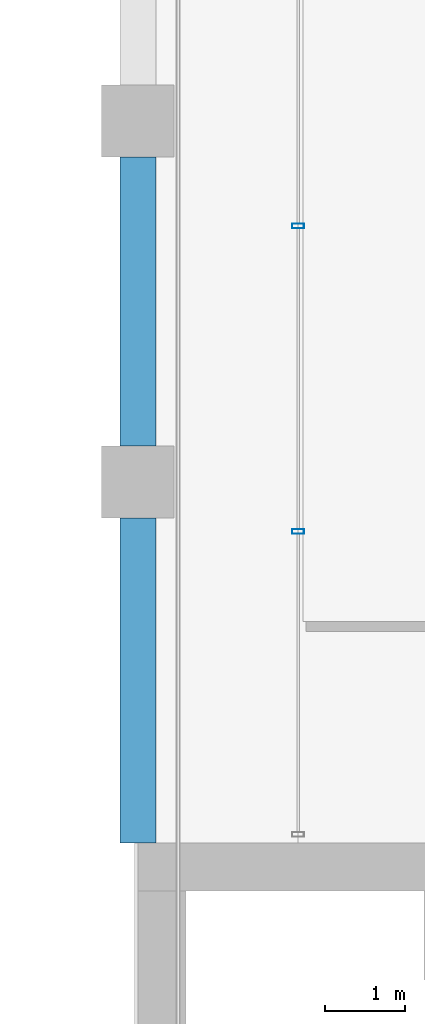
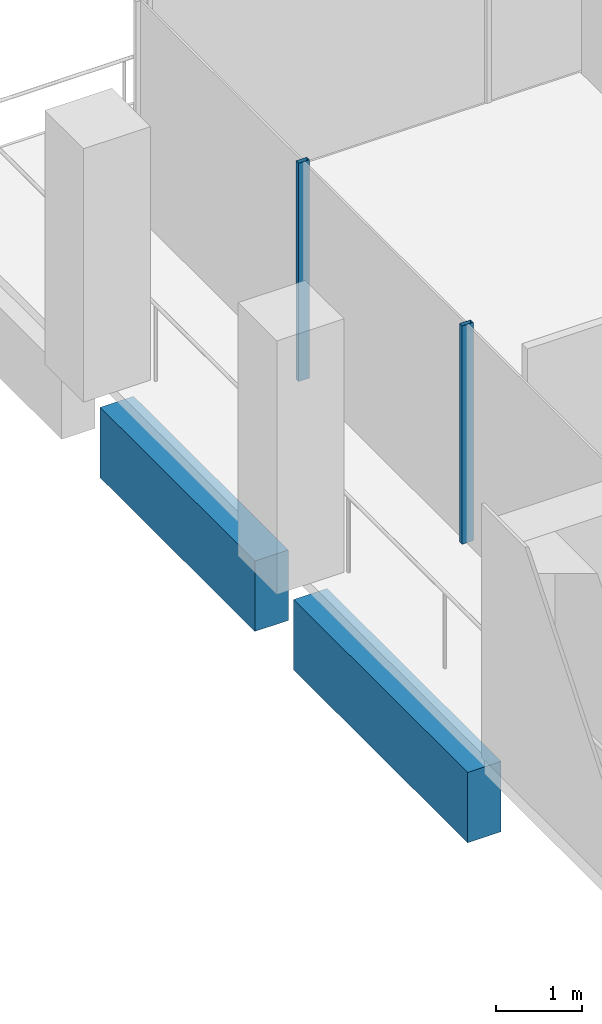
# One storey, part 20 of 40: 2 beams, 2 members, 1 element without a shape of its own.
"""IFC4 building model written with IfcOpenShell, lengths in metres."""

import ifcopenshell
import ifcopenshell.guid

model = None  # the IFC model being written
_history = None  # IfcOwnerHistory: only IFC2X3 demands one
_inside = {}  # id of a spatial element -> (the spatial element, [elements in it])
_under = {}  # id of a project, library or spatial element -> (it, [spatial elements below it])
_declared = {}  # id of a project -> (the project, [libraries it declares])
_typed = {}  # id of a type object -> (the type object, [elements of that type])
_made_of = {}  # id of a material, layer set ... -> (it, [elements and type objects made of it])


def new_model(schema):
    """Start an empty IFC model of exactly this schema.

    Asked for "IFC4X3", IfcOpenShell would pick the latest addendum, in which some entities
    have other attributes; the version numbers below select the first issue.
    IFC2X3 requires an IfcOwnerHistory on every rooted entity: one is made here for all.
    """
    global model, _history
    if schema == "IFC4X3":
        model = ifcopenshell.file(schema_version=(4, 3, 0, 0))
    else:
        model = ifcopenshell.file(schema=schema)
    _inside.clear()
    _under.clear()
    _declared.clear()
    _typed.clear()
    _made_of.clear()
    _history = None
    if model.schema == "IFC2X3":
        org = make("IfcOrganization", Name="unknown")
        user = make(
            "IfcPersonAndOrganization",
            ThePerson=make("IfcPerson", FamilyName="unknown"),
            TheOrganization=org,
        )
        app = make(
            "IfcApplication",
            ApplicationDeveloper=org,
            Version="unknown",
            ApplicationFullName="unknown",
            ApplicationIdentifier="unknown",
        )
        _history = make(
            "IfcOwnerHistory",
            OwningUser=user,
            OwningApplication=app,
            ChangeAction="ADDED",
            CreationDate=0,
        )
    return model


def make(cls, **values):
    """One entity of the class cls with the attributes given. An attribute that is None is left unset."""
    return model.create_entity(
        cls, **{name: value for name, value in values.items() if value is not None}
    )


def rooted(cls, **values):
    """An entity with a GlobalId (a new one), such as an element, a storey or a relation."""
    return make(cls, GlobalId=ifcopenshell.guid.new(), OwnerHistory=_history, **values)


def si_unit(unit_type, name, prefix=None):
    """IfcSIUnit, for example si_unit("LENGTHUNIT", "METRE", prefix="MILLI")."""
    return make("IfcSIUnit", UnitType=unit_type, Prefix=prefix, Name=name)


def assignment(units):
    """IfcUnitAssignment: the units of a project."""
    return None if units is None else make("IfcUnitAssignment", Units=units)


def point(xyz):
    """IfcCartesianPoint."""
    return None if xyz is None else make("IfcCartesianPoint", Coordinates=xyz)


def direction(xyz):
    """IfcDirection."""
    return None if xyz is None else make("IfcDirection", DirectionRatios=xyz)


def frame(location, z_axis=None, x_axis=None):
    """IfcAxis2Placement3D, a coordinate frame: its origin and axes. An axis left out is left unset."""
    return make(
        "IfcAxis2Placement3D",
        Location=point(location),
        Axis=direction(z_axis),
        RefDirection=direction(x_axis),
    )


def frame_2d(location, x_axis=None):
    """IfcAxis2Placement2D, a coordinate frame in the plane: its origin and x axis."""
    return make(
        "IfcAxis2Placement2D", Location=point(location), RefDirection=direction(x_axis)
    )


def origin():
    """The frame at (0, 0, 0) with its axes left unset."""
    return frame((0.0, 0.0, 0.0))


def origin_2d():
    """The frame at (0, 0) in the plane with its x axis left unset."""
    return frame_2d((0.0, 0.0))


def place(relative_to, where):
    """IfcLocalPlacement: puts the frame where relative to a parent placement (None: the world)."""
    return make(
        "IfcLocalPlacement", PlacementRelTo=relative_to, RelativePlacement=where
    )


def context(
    kind, dimensions, precision=None, world=None, true_north=None, identifier=None
):
    """IfcGeometricRepresentationContext, for example the 3D "Model" context."""
    return make(
        "IfcGeometricRepresentationContext",
        ContextIdentifier=identifier,
        ContextType=kind,
        CoordinateSpaceDimension=dimensions,
        Precision=precision,
        WorldCoordinateSystem=world,
        TrueNorth=true_north,
    )


def subcontext(parent, identifier, kind, view, scale=None):
    """IfcGeometricRepresentationSubContext, for example "Body" below "Model"."""
    return make(
        "IfcGeometricRepresentationSubContext",
        ContextIdentifier=identifier,
        ContextType=kind,
        ParentContext=parent,
        TargetScale=scale,
        TargetView=view,
    )


def project(units=None, contexts=None):
    """IfcProject with its units and contexts."""
    return rooted(
        "IfcProject",
        Name="project",
        RepresentationContexts=contexts,
        UnitsInContext=assignment(units),
    )


def spatial(cls, under=None, at=None, **own):
    """A site, building, storey or space (cls), placed at a placement, below another one or the project."""
    s = rooted(cls, ObjectPlacement=at, **own)
    if under is not None:
        _under.setdefault(under.id(), (under, []))[1].append(s)
    return s


def profile(cls, at=None, kind="AREA", **sizes):
    """A parametric profile (cls). Its sizes go by their IFC names, for example OverallWidth=200.0."""
    return make(cls, ProfileType=kind, Position=at, **sizes)


def rectangle(**sizes):
    """IfcRectangleProfileDef."""
    return profile("IfcRectangleProfileDef", **sizes)


def hollow_rectangle(**sizes):
    """IfcRectangleHollowProfileDef."""
    return profile("IfcRectangleHollowProfileDef", **sizes)


def extrude(swept, where, along, depth):
    """IfcExtrudedAreaSolid: the profile swept, set in the frame where, extruded along a direction by depth."""
    return make(
        "IfcExtrudedAreaSolid",
        SweptArea=swept,
        Position=where,
        ExtrudedDirection=direction(along),
        Depth=depth,
    )


def shape(context_of_items, identifier, shape_type, items):
    """IfcShapeRepresentation: the items that make up one representation, for example the "Body"."""
    return make(
        "IfcShapeRepresentation",
        ContextOfItems=context_of_items,
        RepresentationIdentifier=identifier,
        RepresentationType=shape_type,
        Items=items,
    )


def material(Name=None, Category=None):
    """IfcMaterial."""
    return make("IfcMaterial", Name=Name, Category=Category)


def material_profile(
    of_material, cross_section, Name=None, Category=None, Priority=None
):
    """IfcMaterialProfile: a cross section and its material."""
    return make(
        "IfcMaterialProfile",
        Name=Name,
        Material=of_material,
        Profile=cross_section,
        Priority=Priority,
        Category=Category,
    )


def profile_set(profiles, Name=None, composite=None):
    """IfcMaterialProfileSet."""
    return make(
        "IfcMaterialProfileSet",
        Name=Name,
        MaterialProfiles=profiles,
        CompositeProfile=composite,
    )


def made_of(thing, what):
    """Note that an element or type object is made of a material, layer set ...; save() writes the relation."""
    if what is not None:
        _made_of.setdefault(what.id(), (what, []))[1].append(thing)
    return thing


def type_object(cls, material=None, **own):
    """A type object (cls), such as IfcWallType, which elements share."""
    return made_of(rooted(cls, **own), material)


def element(
    cls,
    number,
    at=None,
    inside=None,
    cuts=None,
    type_object=None,
    material=None,
    context=None,
    identifier="Body",
    shape_type=None,
    held_by="IfcProductDefinitionShape",
    body=None,
    shapes=None,
    **own,
):
    """One element of the class cls, such as IfcWall. Its Tag is "e" and its number.

    at: its placement. inside: the storey or other place that contains it. cuts: it is an
    opening in that element (IfcRelVoidsElement). A single representation is given by context,
    identifier, shape_type and body (its items); several are given by shapes. held_by: the class
    of the entity that holds the representations. save() writes the other relations.
    """
    e = rooted(cls, Tag="e%d" % number, ObjectPlacement=at, **own)
    if body is not None:
        shapes = [shape(context, identifier, shape_type, body)]
    if shapes is not None:
        e.Representation = make(held_by, Representations=shapes)
    if inside is not None:
        _inside.setdefault(inside.id(), (inside, []))[1].append(e)
    if cuts is not None:
        rooted(
            "IfcRelVoidsElement", RelatingBuildingElement=cuts, RelatedOpeningElement=e
        )
    if type_object is not None:
        _typed.setdefault(type_object.id(), (type_object, []))[1].append(e)
    return made_of(e, material)


def aggregate(whole, parts):
    """IfcRelAggregates: a whole, such as a stair, and the parts it consists of."""
    return rooted("IfcRelAggregates", RelatingObject=whole, RelatedObjects=parts)


def save(model, path):
    """Write the relations noted so far, then the file.

    IfcRelAggregates (storeys below a building ...), IfcRelContainedInSpatialStructure (elements
    in a storey), IfcRelDefinesByType, IfcRelAssociatesMaterial and IfcRelDeclares: one each for
    every whole, place, type object, material and project.
    """
    for whole, parts in _under.values():
        aggregate(whole, parts)
    for where, things in _inside.values():
        rooted(
            "IfcRelContainedInSpatialStructure",
            RelatedElements=things,
            RelatingStructure=where,
        )
    for kind, things in _typed.values():
        rooted("IfcRelDefinesByType", RelatedObjects=things, RelatingType=kind)
    for what, things in _made_of.values():
        rooted("IfcRelAssociatesMaterial", RelatedObjects=things, RelatingMaterial=what)
    for by, libraries in _declared.values():
        rooted("IfcRelDeclares", RelatingContext=by, RelatedDefinitions=libraries)
    model.write(path)


model = new_model("IFC4")

# Units and contexts
model_context = context("Model", 3, precision=1e-05, world=origin(), true_north=direction((0.0, 1.0)))
body_context = subcontext(model_context, "Body", "Model", "MODEL_VIEW")
ifc_project = project(units=[si_unit("LENGTHUNIT", "METRE"), si_unit("AREAUNIT", "SQUARE_METRE"), si_unit("VOLUMEUNIT", "CUBIC_METRE"), si_unit("PLANEANGLEUNIT", "RADIAN"), si_unit("MASSUNIT", "GRAM", prefix="KILO")], contexts=[model_context])

# Site, building, storey
site_placement = place(None, origin())
site = spatial("IfcSite", under=ifc_project, at=site_placement, CompositionType="ELEMENT")
building_placement = place(site_placement, origin())
building = spatial("IfcBuilding", under=site, at=building_placement, Name="Altepetl Exchange Towers", CompositionType="ELEMENT")
storey_placement = place(building_placement, frame((0.0, 0.0, 158.199951171875)))
storey = spatial("IfcBuildingStorey", under=building, at=storey_placement, Name="L39", CompositionType="ELEMENT", Elevation=158.199951171875)

# Curtain wall, members
ifc_material_1 = material(Name="Aluminium 6063-T6 glazing", Category="aluminium")
curtain_wall_type = type_object("IfcCurtainWallType", Name="Loggia glazing system", PredefinedType="NOTDEFINED", material=ifc_material_1)
curtain_wall_placement = place(storey_placement, origin())
curtain_wall = element("IfcCurtainWall", 1, at=curtain_wall_placement, inside=storey, type_object=curtain_wall_type, Name="CW1 run", PredefinedType="NOTDEFINED")
ifc_material_2 = material(Name="Aluminium 6063-T6", Category="aluminium")
ifc_material_profile_1 = material_profile(ifc_material_2, hollow_rectangle(XDim=0.06005859375, YDim=0.14990234375, WallThickness=0.0029296875, at=origin_2d()), Name="Mullion 60x150 aluminium")
ifc_profile_set_1 = profile_set([ifc_material_profile_1], Name="Aluminium 6063-T6")
member_type = type_object("IfcMemberType", Name="Mullion 60x150 aluminium", PredefinedType="MULLION", material=ifc_profile_set_1)
member_1_placement = place(storey_placement, frame((42.5, 66.191650390625, 0.0), z_axis=(0.0, 0.0, 1.0), x_axis=(0.0, -1.0, 0.0)))
member_1 = element("IfcMember", 2, at=member_1_placement, type_object=member_type, Name="MU1 mullion", PredefinedType="MULLION", context=body_context, shape_type="SweptSolid", body=[
    extrude(hollow_rectangle(XDim=0.06005859375, YDim=0.14990234375, WallThickness=0.0029296875, at=origin_2d()), origin(), (0.0, 0.0, 1.0), 3.10009765625),
])
member_2_placement = place(storey_placement, frame((42.5, 62.38330078125, 0.0), z_axis=(0.0, 0.0, 1.0), x_axis=(0.0, -1.0, 0.0)))
member_2 = element("IfcMember", 3, at=member_2_placement, type_object=member_type, Name="MU1 mullion", PredefinedType="MULLION", context=body_context, shape_type="SweptSolid", body=[
    extrude(hollow_rectangle(XDim=0.06005859375, YDim=0.14990234375, WallThickness=0.0029296875, at=origin_2d()), origin(), (0.0, 0.0, 1.0), 3.10009765625),
])
aggregate(curtain_wall, [member_1, member_2])

# Beams
ifc_material_3 = material(Name="Concrete C50/60 precast with tezontle facing", Category="concrete")
ifc_material_profile_2 = material_profile(ifc_material_3, rectangle(XDim=0.449951171875, YDim=1.0, at=origin_2d()), Name="450 x 1000")
ifc_profile_set_2 = profile_set([ifc_material_profile_2], Name="Concrete C50/60 precast with tezontle facing")
beam_type = type_object("IfcBeamType", Name="Spandrel beam 450x1000 tezontle", PredefinedType="SPANDREL", material=ifc_profile_set_2)
beam_1_placement = place(storey_placement, frame((40.5, 67.050048828125, -0.64990234375), z_axis=(0.0, -1.0, 0.0), x_axis=(1.0, 0.0, 0.0)))
element("IfcBeam", 4, at=beam_1_placement, inside=storey, type_object=beam_type, Name="sp:A:L39:031", PredefinedType="SPANDREL", context=body_context, shape_type="SweptSolid", body=[
    extrude(rectangle(XDim=0.449951171875, YDim=1.0, at=origin_2d()), origin(), (0.0, 0.0, 1.0), 3.60009765625),
])
beam_2_placement = place(storey_placement, frame((40.5, 62.550048828125, -0.64990234375), z_axis=(0.0, -1.0, 0.0), x_axis=(1.0, 0.0, 0.0)))
element("IfcBeam", 5, at=beam_2_placement, inside=storey, type_object=beam_type, Name="sp:A:L39:032", PredefinedType="SPANDREL", context=body_context, shape_type="SweptSolid", body=[
    extrude(rectangle(XDim=0.449951171875, YDim=1.0, at=origin_2d()), origin(), (0.0, 0.0, 1.0), 4.050048828125),
])

save(model, "model.ifc")
